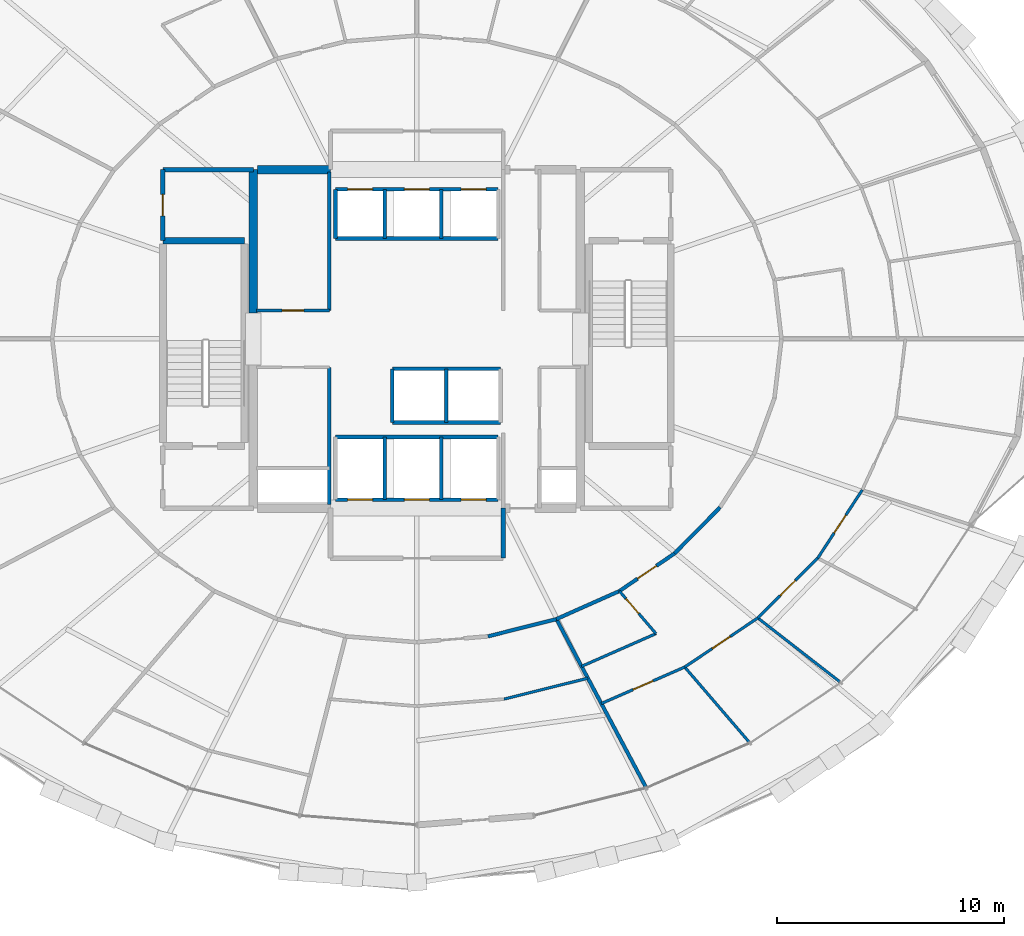
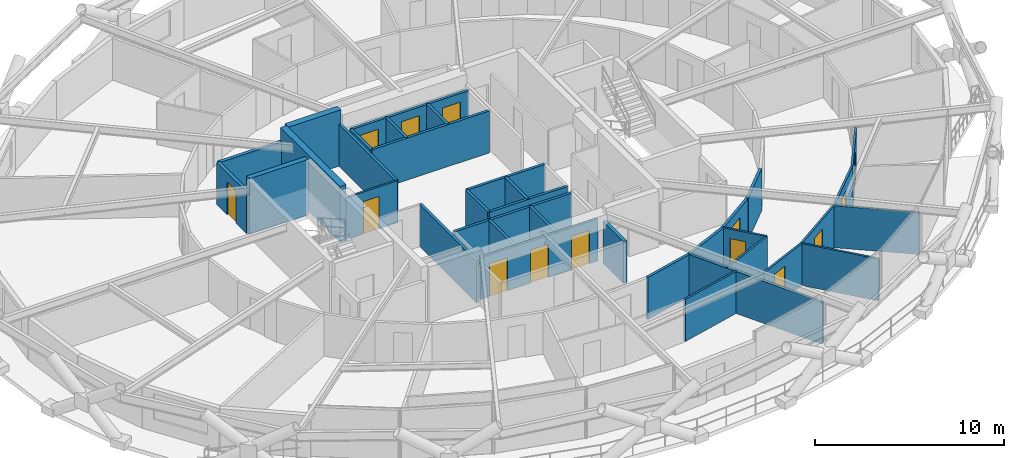
# One storey, part 14 of 19: 36 walls, 14 doors, 14 openings.
"""IFC4 building model written with IfcOpenShell, lengths in metres."""

from ifc_helpers import new_model, si_unit, direction, frame, frame_2d, origin, place, context, subcontext, project, spatial, rectangle, extrude, material, layer, layer_set, type_object, element, fill, save


model = new_model("IFC4")

# Units and contexts
model_context = context("Model", 3, precision=1e-05, world=origin(), true_north=direction((0.0, 1.0)))
body_context = subcontext(model_context, "Body", "Model", "MODEL_VIEW")
ifc_project = project(units=[si_unit("LENGTHUNIT", "METRE"), si_unit("AREAUNIT", "SQUARE_METRE"), si_unit("VOLUMEUNIT", "CUBIC_METRE"), si_unit("PLANEANGLEUNIT", "RADIAN"), si_unit("MASSUNIT", "GRAM", prefix="KILO")], contexts=[model_context])

# Site, building, storey
site_placement = place(None, origin())
site = spatial("IfcSite", under=ifc_project, at=site_placement, CompositionType="ELEMENT")
building_placement = place(site_placement, origin())
building = spatial("IfcBuilding", under=site, at=building_placement, Name="Veldorina Hangang Commons", CompositionType="ELEMENT")
storey_placement = place(building_placement, frame((0.0, 0.0, 70.0)))
storey = spatial("IfcBuildingStorey", under=building, at=storey_placement, Name="L17", CompositionType="ELEMENT", Elevation=70.0)

# Walls
ifc_material_1 = material(Name="Concrete C70/85", Category="concrete")
ifc_layer_1 = layer(ifc_material_1, 0.3798828125)
ifc_layer_set_1 = layer_set([ifc_layer_1], Name="Concrete C70/85")
wall_type_1 = type_object("IfcWallType", Name="CW-RC380-C70", PredefinedType="SHEAR", material=ifc_layer_set_1)
wall_1_placement = place(storey_placement, frame((24.800048828125, 25.14990234375, 0.0), z_axis=(0.0, 0.0, 1.0), x_axis=(0.0, 1.0, 0.0)))
element("IfcWall", 1, at=wall_1_placement, inside=storey, type_object=wall_type_1, Name="L17 W north core shear wall", PredefinedType="SHEAR", context=body_context, shape_type="SweptSolid", body=[
    extrude(rectangle(XDim=6.300048828125, YDim=0.3798828125, at=frame_2d((3.14990234375, 0.0))), origin(), (0.0, 0.0, 1.0), 3.60009765625),
])
wall_2_placement = place(storey_placement, frame((24.989990234375, 31.449951171875, 0.0), z_axis=(0.0, 0.0, 1.0), x_axis=(1.0, 0.0, 0.0)))
element("IfcWall", 2, at=wall_2_placement, inside=storey, type_object=wall_type_1, Name="L17 north-west core shear wall", PredefinedType="SHEAR", context=body_context, shape_type="SweptSolid", body=[
    extrude(rectangle(XDim=3.2099609375, YDim=0.3798828125, at=frame_2d((1.60498046875, 0.0))), origin(), (0.0, 0.0, 1.0), 3.60009765625),
])
ifc_material_2 = material(Name="Concrete C50/60", Category="concrete")
ifc_layer_2 = layer(ifc_material_2, 0.300048828125)
ifc_layer_set_2 = layer_set([ifc_layer_2], Name="Concrete C50/60")
wall_type_2 = type_object("IfcWallType", Name="SW-STAIR-300", PredefinedType="SHEAR", material=ifc_layer_set_2)
wall_3_placement = place(storey_placement, frame((20.820068359375, 28.320068359375, 0.0), z_axis=(0.0, 0.0, 1.0), x_axis=(1.0, 0.0, 0.0)))
element("IfcWall", 3, at=wall_3_placement, inside=storey, type_object=wall_type_2, Name="L17 ST1 north stair shear wall", PredefinedType="SHEAR", context=body_context, shape_type="SweptSolid", body=[
    extrude(rectangle(XDim=3.599853515625, YDim=0.300048828125, at=frame_2d((1.7998046875, 0.0))), origin(), (0.0, 0.0, 1.0), 3.60009765625),
])

# Wall, openings, doors
ifc_material_3 = material(Name="Gypsum Fire-Rated Twin Stud Wall", Category="gypsum")
ifc_layer_3 = layer(ifc_material_3, 0.159912109375)
ifc_layer_set_3 = layer_set([ifc_layer_3], Name="Gypsum Fire-Rated Twin Stud Wall")
wall_type_3 = type_object("IfcWallType", Name="WL-FIRE-160", PredefinedType="SOLIDWALL", material=ifc_layer_set_3)
wall_4_placement = place(storey_placement, frame((28.419921875, 30.580078125, 0.0), z_axis=(0.0, 0.0, 1.0), x_axis=(1.0, 0.0, 0.0)))
wall_4 = element("IfcWall", 4, at=wall_4_placement, inside=storey, type_object=wall_type_3, Name="L17 Low-bank front shaft wall 015", PredefinedType="SOLIDWALL", context=body_context, shape_type="SweptSolid", body=[
    extrude(rectangle(XDim=7.16015625, YDim=0.159912109375, at=frame_2d((3.580078125, 0.0))), origin(), (0.0, 0.0, 1.0), 2.7099609375),
])
opening_1_placement = place(wall_4_placement, frame((0.530029296875, 0.0, 0.0)))
opening_1 = element("IfcOpeningElement", 5, at=opening_1_placement, cuts=wall_4, Name="Opening LD-01", PredefinedType="OPENING", context=body_context, shape_type="SweptSolid", body=[
    extrude(rectangle(XDim=1.10009765625, YDim=2.14990234375, at=frame_2d((0.550048828125, 1.074951171875))), frame((0.0, 0.08984375, 0.0), z_axis=(0.0, -1.0, 0.0), x_axis=(1.0, 0.0, 0.0)), (0.0, 0.0, 1.0), 0.179931640625),
])
opening_2_placement = place(wall_4_placement, frame((3.030029296875, 0.0, 0.0)))
opening_2 = element("IfcOpeningElement", 6, at=opening_2_placement, cuts=wall_4, Name="Opening LD-01", PredefinedType="OPENING", context=body_context, shape_type="SweptSolid", body=[
    extrude(rectangle(XDim=1.10009765625, YDim=2.14990234375, at=frame_2d((0.550048828125, 1.074951171875))), frame((0.0, 0.08984375, 0.0), z_axis=(0.0, -1.0, 0.0), x_axis=(1.0, 0.0, 0.0)), (0.0, 0.0, 1.0), 0.179931640625),
])
opening_3_placement = place(wall_4_placement, frame((5.530029296875, 0.0, 0.0)))
opening_3 = element("IfcOpeningElement", 7, at=opening_3_placement, cuts=wall_4, Name="Opening LD-01", PredefinedType="OPENING", context=body_context, shape_type="SweptSolid", body=[
    extrude(rectangle(XDim=1.10009765625, YDim=2.14990234375, at=frame_2d((0.550048828125, 1.074951171875))), frame((0.0, 0.08984375, 0.0), z_axis=(0.0, -1.0, 0.0), x_axis=(1.0, 0.0, 0.0)), (0.0, 0.0, 1.0), 0.179931640625),
])
ifc_material_4 = material(Name="Stainless Steel Brushed Lift Door", Category="steel")
door_type_1 = type_object("IfcDoorType", Name="DR-LIFT-1100", OperationType="SLIDING_TO_LEFT", PredefinedType="DOOR", material=ifc_material_4)
door_1_placement = place(opening_1_placement, origin())
door_1 = element("IfcDoor", 8, at=door_1_placement, inside=storey, type_object=door_type_1, Name="L17 Lift PL-L1 landing door 006", OperationType="SLIDING_TO_LEFT", OverallHeight=2.14990234375, OverallWidth=1.10009765625, PredefinedType="DOOR", context=body_context, shape_type="SweptSolid", body=[
    extrude(rectangle(XDim=1.10009765625, YDim=2.14990234375, at=frame_2d((0.550048828125, 1.074951171875))), frame((0.0, 0.02490234375, 0.0), z_axis=(0.0, -1.0, 0.0), x_axis=(1.0, 0.0, 0.0)), (0.0, 0.0, 1.0), 0.050048828125),
])
fill(opening_1, door_1)
door_2_placement = place(opening_2_placement, origin())
door_2 = element("IfcDoor", 9, at=door_2_placement, inside=storey, type_object=door_type_1, Name="L17 Lift PL-L2 landing door 007", OperationType="SLIDING_TO_LEFT", OverallHeight=2.14990234375, OverallWidth=1.10009765625, PredefinedType="DOOR", context=body_context, shape_type="SweptSolid", body=[
    extrude(rectangle(XDim=1.10009765625, YDim=2.14990234375, at=frame_2d((0.550048828125, 1.074951171875))), frame((0.0, 0.02490234375, 0.0), z_axis=(0.0, -1.0, 0.0), x_axis=(1.0, 0.0, 0.0)), (0.0, 0.0, 1.0), 0.050048828125),
])
fill(opening_2, door_2)
door_3_placement = place(opening_3_placement, origin())
door_3 = element("IfcDoor", 10, at=door_3_placement, inside=storey, type_object=door_type_1, Name="L17 Lift PL-L3 landing door 008", OperationType="SLIDING_TO_LEFT", OverallHeight=2.14990234375, OverallWidth=1.10009765625, PredefinedType="DOOR", context=body_context, shape_type="SweptSolid", body=[
    extrude(rectangle(XDim=1.10009765625, YDim=2.14990234375, at=frame_2d((0.550048828125, 1.074951171875))), frame((0.0, 0.02490234375, 0.0), z_axis=(0.0, -1.0, 0.0), x_axis=(1.0, 0.0, 0.0)), (0.0, 0.0, 1.0), 0.050048828125),
])
fill(opening_3, door_3)

# Walls
wall_5_placement = place(storey_placement, frame((28.419921875, 28.419921875, 0.0), z_axis=(0.0, 0.0, 1.0), x_axis=(1.0, 0.0, 0.0)))
element("IfcWall", 11, at=wall_5_placement, inside=storey, type_object=wall_type_3, Name="L17 Low-bank rear shaft wall 016", PredefinedType="SOLIDWALL", context=body_context, shape_type="SweptSolid", body=[
    extrude(rectangle(XDim=7.16015625, YDim=0.159912109375, at=frame_2d((3.580078125, 0.0))), origin(), (0.0, 0.0, 1.0), 2.7099609375),
])
for number, where, z_axis, x_axis, name in (
    (12, (28.419921875, 28.419921875, 0.0), (0.0, 0.0, 1.0), (0.0, 1.0, 0.0), "L17 PL-L1 west shaft wall 017"),
    (13, (30.580078125, 28.419921875, 0.0), (0.0, 0.0, 1.0), (0.0, 1.0, 0.0), "L17 PL-L1 east shaft wall 018"),
    (14, (33.080078125, 28.419921875, 0.0), (0.0, 0.0, 1.0), (0.0, 1.0, 0.0), "L17 PL-L2 east shaft wall 019"),
):
    element("IfcWall", number, at=place(storey_placement, frame(where, z_axis=z_axis, x_axis=x_axis)), inside=storey, type_object=wall_type_3, Name=name, PredefinedType="SOLIDWALL", context=body_context, shape_type="SweptSolid", body=[
        extrude(rectangle(XDim=2.16015625, YDim=0.159912109375, at=frame_2d((1.080078125, 0.0))), origin(), (0.0, 0.0, 1.0), 2.7099609375),
    ])
for number, where, z_axis, x_axis, name in (
    (15, (30.919921875, 22.679931640625, 0.0), (0.0, 0.0, 1.0), (1.0, 0.0, 0.0), "L17 Shuttle-high front shaft wall 021"),
    (16, (30.919921875, 20.320068359375, 0.0), (0.0, 0.0, 1.0), (1.0, 0.0, 0.0), "L17 Shuttle-high rear shaft wall 022"),
):
    element("IfcWall", number, at=place(storey_placement, frame(where, z_axis=z_axis, x_axis=x_axis)), inside=storey, type_object=wall_type_3, Name=name, PredefinedType="SOLIDWALL", context=body_context, shape_type="SweptSolid", body=[
        extrude(rectangle(XDim=4.760009765625, YDim=0.159912109375, at=frame_2d((2.3798828125, 0.0))), origin(), (0.0, 0.0, 1.0), 2.7099609375),
    ])
for number, where, z_axis, x_axis, name in (
    (17, (30.919921875, 20.320068359375, 0.0), (0.0, 0.0, 1.0), (0.0, 1.0, 0.0), "L17 SL-1 west shaft wall 023"),
    (18, (33.300048828125, 20.320068359375, 0.0), (0.0, 0.0, 1.0), (0.0, 1.0, 0.0), "L17 SL-1 east shaft wall 024"),
):
    element("IfcWall", number, at=place(storey_placement, frame(where, z_axis=z_axis, x_axis=x_axis)), inside=storey, type_object=wall_type_3, Name=name, PredefinedType="SOLIDWALL", context=body_context, shape_type="SweptSolid", body=[
        extrude(rectangle(XDim=2.35986328125, YDim=0.159912109375, at=frame_2d((1.179931640625, 0.0))), origin(), (0.0, 0.0, 1.0), 2.7099609375),
    ])

# Wall, openings, doors
wall_6_placement = place(storey_placement, frame((28.419921875, 16.919921875, 0.0), z_axis=(0.0, 0.0, 1.0), x_axis=(1.0, 0.0, 0.0)))
wall_6 = element("IfcWall", 19, at=wall_6_placement, inside=storey, type_object=wall_type_3, Name="L17 Emergency front shaft wall 026", PredefinedType="SOLIDWALL", context=body_context, shape_type="SweptSolid", body=[
    extrude(rectangle(XDim=7.16015625, YDim=0.159912109375, at=frame_2d((3.580078125, 0.0))), origin(), (0.0, 0.0, 1.0), 2.7099609375),
])
opening_4_placement = place(wall_6_placement, frame((0.530029296875, 0.0, 0.0)))
opening_4 = element("IfcOpeningElement", 20, at=opening_4_placement, cuts=wall_6, Name="Opening LD-03", PredefinedType="OPENING", context=body_context, shape_type="SweptSolid", body=[
    extrude(rectangle(XDim=1.10009765625, YDim=2.14990234375, at=frame_2d((0.550048828125, 1.074951171875))), frame((0.0, 0.08984375, 0.0), z_axis=(0.0, -1.0, 0.0), x_axis=(1.0, 0.0, 0.0)), (0.0, 0.0, 1.0), 0.179931640625),
])
opening_5_placement = place(wall_6_placement, frame((3.030029296875, 0.0, 0.0)))
opening_5 = element("IfcOpeningElement", 21, at=opening_5_placement, cuts=wall_6, Name="Opening LD-03", PredefinedType="OPENING", context=body_context, shape_type="SweptSolid", body=[
    extrude(rectangle(XDim=1.10009765625, YDim=2.14990234375, at=frame_2d((0.550048828125, 1.074951171875))), frame((0.0, 0.08984375, 0.0), z_axis=(0.0, -1.0, 0.0), x_axis=(1.0, 0.0, 0.0)), (0.0, 0.0, 1.0), 0.179931640625),
])
opening_6_placement = place(wall_6_placement, frame((5.530029296875, 0.0, 0.0)))
opening_6 = element("IfcOpeningElement", 22, at=opening_6_placement, cuts=wall_6, Name="Opening LD-03", PredefinedType="OPENING", context=body_context, shape_type="SweptSolid", body=[
    extrude(rectangle(XDim=1.10009765625, YDim=2.14990234375, at=frame_2d((0.550048828125, 1.074951171875))), frame((0.0, 0.08984375, 0.0), z_axis=(0.0, -1.0, 0.0), x_axis=(1.0, 0.0, 0.0)), (0.0, 0.0, 1.0), 0.179931640625),
])
ifc_material_5 = material(Name="Stainless Steel Firefighting Lift Door", Category="steel")
door_type_2 = type_object("IfcDoorType", Name="DR-LIFT-FF1100", OperationType="SLIDING_TO_RIGHT", PredefinedType="DOOR", material=ifc_material_5)
door_4_placement = place(opening_4_placement, origin())
door_4 = element("IfcDoor", 23, at=door_4_placement, inside=storey, type_object=door_type_2, Name="L17 Emergency lift FFL-1 landing door 009", OperationType="SLIDING_TO_RIGHT", OverallHeight=2.14990234375, OverallWidth=1.10009765625, PredefinedType="DOOR", context=body_context, shape_type="SweptSolid", body=[
    extrude(rectangle(XDim=1.10009765625, YDim=2.14990234375, at=frame_2d((0.550048828125, 1.074951171875))), frame((0.0, 0.02490234375, 0.0), z_axis=(0.0, -1.0, 0.0), x_axis=(1.0, 0.0, 0.0)), (0.0, 0.0, 1.0), 0.050048828125),
])
fill(opening_4, door_4)
door_5_placement = place(opening_5_placement, origin())
door_5 = element("IfcDoor", 24, at=door_5_placement, inside=storey, type_object=door_type_2, Name="L17 Emergency lift FFL-2 landing door 010", OperationType="SLIDING_TO_RIGHT", OverallHeight=2.14990234375, OverallWidth=1.10009765625, PredefinedType="DOOR", context=body_context, shape_type="SweptSolid", body=[
    extrude(rectangle(XDim=1.10009765625, YDim=2.14990234375, at=frame_2d((0.550048828125, 1.074951171875))), frame((0.0, 0.02490234375, 0.0), z_axis=(0.0, -1.0, 0.0), x_axis=(1.0, 0.0, 0.0)), (0.0, 0.0, 1.0), 0.050048828125),
])
fill(opening_5, door_5)
door_6_placement = place(opening_6_placement, origin())
door_6 = element("IfcDoor", 25, at=door_6_placement, inside=storey, type_object=door_type_2, Name="L17 Emergency lift EVL-1 landing door 011", OperationType="SLIDING_TO_RIGHT", OverallHeight=2.14990234375, OverallWidth=1.10009765625, PredefinedType="DOOR", context=body_context, shape_type="SweptSolid", body=[
    extrude(rectangle(XDim=1.10009765625, YDim=2.14990234375, at=frame_2d((0.550048828125, 1.074951171875))), frame((0.0, 0.02490234375, 0.0), z_axis=(0.0, -1.0, 0.0), x_axis=(1.0, 0.0, 0.0)), (0.0, 0.0, 1.0), 0.050048828125),
])
fill(opening_6, door_6)

# Walls
wall_7_placement = place(storey_placement, frame((28.419921875, 19.679931640625, 0.0), z_axis=(0.0, 0.0, 1.0), x_axis=(1.0, 0.0, 0.0)))
element("IfcWall", 26, at=wall_7_placement, inside=storey, type_object=wall_type_3, Name="L17 Emergency rear shaft wall 027", PredefinedType="SOLIDWALL", context=body_context, shape_type="SweptSolid", body=[
    extrude(rectangle(XDim=7.16015625, YDim=0.159912109375, at=frame_2d((3.580078125, 0.0))), origin(), (0.0, 0.0, 1.0), 2.7099609375),
])
for number, where, z_axis, x_axis, name in (
    (27, (30.580078125, 16.919921875, 0.0), (0.0, 0.0, 1.0), (0.0, 1.0, 0.0), "L17 FFL-1 east shaft wall 029"),
    (28, (33.080078125, 16.919921875, 0.0), (0.0, 0.0, 1.0), (0.0, 1.0, 0.0), "L17 FFL-2 east shaft wall 030"),
):
    element("IfcWall", number, at=place(storey_placement, frame(where, z_axis=z_axis, x_axis=x_axis)), inside=storey, type_object=wall_type_3, Name=name, PredefinedType="SOLIDWALL", context=body_context, shape_type="SweptSolid", body=[
        extrude(rectangle(XDim=2.760009765625, YDim=0.159912109375, at=frame_2d((1.3798828125, 0.0))), origin(), (0.0, 0.0, 1.0), 2.7099609375),
    ])
wall_8_placement = place(storey_placement, frame((28.14990234375, 16.699951171875, 0.0), z_axis=(0.0, 0.0, 1.0), x_axis=(0.0, 1.0, 0.0)))
element("IfcWall", 29, at=wall_8_placement, inside=storey, type_object=wall_type_3, Name="L17 SW core inner wall 036", PredefinedType="SOLIDWALL", context=body_context, shape_type="SweptSolid", body=[
    extrude(rectangle(XDim=6.050048828125, YDim=0.159912109375, at=frame_2d((3.02490234375, 0.0))), origin(), (0.0, 0.0, 1.0), 2.7099609375),
])
wall_9_placement = place(storey_placement, frame((28.14990234375, 25.25, 0.0), z_axis=(0.0, 0.0, 1.0), x_axis=(0.0, 1.0, 0.0)))
element("IfcWall", 30, at=wall_9_placement, inside=storey, type_object=wall_type_3, Name="L17 NW core inner wall 038", PredefinedType="SOLIDWALL", context=body_context, shape_type="SweptSolid", body=[
    extrude(rectangle(XDim=6.10009765625, YDim=0.159912109375, at=frame_2d((3.050048828125, 0.0))), origin(), (0.0, 0.0, 1.0), 2.7099609375),
])
wall_10_placement = place(storey_placement, frame((35.131103515625, 10.906494140625, 0.0), z_axis=(0.0, 0.0, 1.0), x_axis=(0.969608333194, 0.244662380029, 0.0)))
element("IfcWall", 31, at=wall_10_placement, inside=storey, type_object=wall_type_3, Name="L17 Corridor outer wall 25 070", PredefinedType="SOLIDWALL", context=body_context, shape_type="SweptSolid", body=[
    extrude(rectangle(XDim=3.10546875, YDim=0.159912109375, at=frame_2d((1.552734375, 0.0))), origin(), (0.0, 0.0, 1.0), 2.7099609375),
])
wall_11_placement = place(storey_placement, frame((38.14208984375, 11.666259765625, 0.0), z_axis=(0.0, 0.0, 1.0), x_axis=(0.913768445178, 0.406235434936, 0.0)))
element("IfcWall", 32, at=wall_11_placement, inside=storey, type_object=wall_type_3, Name="L17 Corridor outer wall 26 071", PredefinedType="SOLIDWALL", context=body_context, shape_type="SweptSolid", body=[
    extrude(rectangle(XDim=3.036865234375, YDim=0.159912109375, at=frame_2d((1.5185546875, 0.0))), origin(), (0.0, 0.0, 1.0), 2.7099609375),
])

# Wall, opening, door
wall_12_placement = place(storey_placement, frame((40.9169921875, 12.89990234375, 0.0), z_axis=(0.0, 0.0, 1.0), x_axis=(0.825929039072, 0.563774088104, 0.0)))
wall_12 = element("IfcWall", 33, at=wall_12_placement, inside=storey, type_object=wall_type_3, Name="L17 Corridor outer wall 27 072", PredefinedType="SOLIDWALL", context=body_context, shape_type="SweptSolid", body=[
    extrude(rectangle(XDim=2.94482421875, YDim=0.159912109375, at=frame_2d((1.472412109375, 0.0))), origin(), (0.0, 0.0, 1.0), 2.7099609375),
])
opening_7_placement = place(wall_12_placement, frame((0.972412109375, 0.0, 0.0)))
opening_7 = element("IfcOpeningElement", 34, at=opening_7_placement, cuts=wall_12, Name="Opening D-06", PredefinedType="OPENING", context=body_context, shape_type="SweptSolid", body=[
    extrude(rectangle(XDim=1.0, YDim=2.10009765625, at=frame_2d((0.5, 1.050048828125))), frame((0.0, 0.08984375, 0.0), z_axis=(0.0, -1.0, 0.0), x_axis=(1.0, 0.0, 0.0)), (0.0, 0.0, 1.0), 0.179931640625),
])
ifc_material_6 = material(Name="Timber Fire-Rated Entrance Core", Category="wood")
door_type_3 = type_object("IfcDoorType", Name="DR-UNIT-1000", OperationType="SINGLE_SWING_LEFT", PredefinedType="DOOR", material=ifc_material_6)
door_7_placement = place(opening_7_placement, origin())
door_7 = element("IfcDoor", 35, at=door_7_placement, inside=storey, type_object=door_type_3, Name="L17 Cluster 2 entrance door 020", OperationType="SINGLE_SWING_RIGHT", OverallHeight=2.10009765625, OverallWidth=1.0, PredefinedType="DOOR", context=body_context, shape_type="SweptSolid", body=[
    extrude(rectangle(XDim=1.0, YDim=2.10009765625, at=frame_2d((0.5, 1.050048828125))), frame((0.0, 0.02490234375, 0.0), z_axis=(0.0, -1.0, 0.0), x_axis=(1.0, 0.0, 0.0)), (0.0, 0.0, 1.0), 0.050048828125),
])
fill(opening_7, door_7)

# Walls
wall_13_placement = place(storey_placement, frame((43.34912109375, 14.56005859375, 0.0), z_axis=(0.0, 0.0, 1.0), x_axis=(0.702366174226, 0.711815816981, 0.0)))
element("IfcWall", 36, at=wall_13_placement, inside=storey, type_object=wall_type_3, Name="L17 Corridor outer wall 28 073", PredefinedType="SOLIDWALL", context=body_context, shape_type="SweptSolid", body=[
    extrude(rectangle(XDim=2.842041015625, YDim=0.159912109375, at=frame_2d((1.4208984375, 0.0))), origin(), (0.0, 0.0, 1.0), 2.7099609375),
])
wall_14_placement = place(storey_placement, frame((38.14208984375, 11.666259765625, 0.0), z_axis=(0.0, 0.0, 1.0), x_axis=(0.470091700184, -0.882617580506, 0.0)))
element("IfcWall", 37, at=wall_14_placement, inside=storey, type_object=wall_type_3, Name="L17 Unit party wall 26 081", PredefinedType="SOLIDWALL", context=body_context, shape_type="SweptSolid", body=[
    extrude(rectangle(XDim=8.371826171875, YDim=0.159912109375, at=frame_2d((4.18603515625, 0.0))), origin(), (0.0, 0.0, 1.0), 2.7099609375),
])

# Wall, opening, door
ifc_material_7 = material(Name="Concrete Blockwork Fire Wall C30/37", Category="masonry")
ifc_layer_4 = layer(ifc_material_7, 0.199951171875)
ifc_layer_set_4 = layer_set([ifc_layer_4], Name="Concrete Blockwork Fire Wall C30/37")
wall_type_4 = type_object("IfcWallType", Name="WL-FIRE-200", PredefinedType="SOLIDWALL", material=ifc_layer_set_4)
wall_15_placement = place(storey_placement, frame((20.820068359375, 28.320068359375, 0.0), z_axis=(0.0, 0.0, 1.0), x_axis=(0.0, 1.0, 0.0)))
wall_15 = element("IfcWall", 38, at=wall_15_placement, inside=storey, type_object=wall_type_4, Name="L17 NW core room outer wall 005", PredefinedType="SOLIDWALL", context=body_context, shape_type="SweptSolid", body=[
    extrude(rectangle(XDim=3.1298828125, YDim=0.199951171875, at=frame_2d((1.56494140625, 0.0))), origin(), (0.0, 0.0, 1.0), 2.7099609375),
])
opening_8_placement = place(wall_15_placement, frame((1.090087890625, 0.0, 0.0)))
opening_8 = element("IfcOpeningElement", 39, at=opening_8_placement, cuts=wall_15, Name="Opening D-04", PredefinedType="OPENING", context=body_context, shape_type="SweptSolid", body=[
    extrude(rectangle(XDim=0.949951171875, YDim=2.10009765625, at=frame_2d((0.47509765625, 1.050048828125))), frame((0.0, 0.10986328125, 0.0), z_axis=(0.0, -1.0, 0.0), x_axis=(1.0, 0.0, 0.0)), (0.0, 0.0, 1.0), 0.219970703125),
])
ifc_material_8 = material(Name="Timber Accessible Flush Leaf", Category="wood")
door_type_4 = type_object("IfcDoorType", Name="DR-ACC-950", OperationType="SINGLE_SWING_LEFT", PredefinedType="DOOR", material=ifc_material_8)
door_8_placement = place(opening_8_placement, origin())
door_8 = element("IfcDoor", 40, at=door_8_placement, inside=storey, type_object=door_type_4, Name="L17 NW core WC door 003", OperationType="SINGLE_SWING_LEFT", OverallHeight=2.10009765625, OverallWidth=0.949951171875, PredefinedType="DOOR", context=body_context, shape_type="SweptSolid", body=[
    extrude(rectangle(XDim=0.949951171875, YDim=2.10009765625, at=frame_2d((0.47509765625, 1.050048828125))), frame((0.0, 0.02490234375, 0.0), z_axis=(0.0, -1.0, 0.0), x_axis=(1.0, 0.0, 0.0)), (0.0, 0.0, 1.0), 0.050048828125),
])
fill(opening_8, door_8)

# Walls
wall_16_placement = place(storey_placement, frame((20.820068359375, 31.449951171875, 0.0), z_axis=(0.0, 0.0, 1.0), x_axis=(1.0, 0.0, 0.0)))
element("IfcWall", 41, at=wall_16_placement, inside=storey, type_object=wall_type_4, Name="L17 NW core room north wall 006", PredefinedType="SOLIDWALL", context=body_context, shape_type="SweptSolid", body=[
    extrude(rectangle(XDim=3.97998046875, YDim=0.199951171875, at=frame_2d((1.989990234375, 0.0))), origin(), (0.0, 0.0, 1.0), 2.7099609375),
])
wall_17_placement = place(storey_placement, frame((35.800048828125, 14.35009765625, 0.0), z_axis=(0.0, 0.0, 1.0), x_axis=(0.0, 1.0, 0.0)))
element("IfcWall", 42, at=wall_17_placement, inside=storey, type_object=wall_type_4, Name="L17 FF lobby east wall 013", PredefinedType="SOLIDWALL", context=body_context, shape_type="SweptSolid", body=[
    extrude(rectangle(XDim=2.199951171875, YDim=0.199951171875, at=frame_2d((1.10009765625, 0.0))), origin(), (0.0, 0.0, 1.0), 2.7099609375),
])

# Wall, opening, door
ifc_material_9 = material(Name="Gypsum Acoustic Stud Partition", Category="gypsum")
ifc_layer_5 = layer(ifc_material_9, 0.1201171875)
ifc_layer_set_5 = layer_set([ifc_layer_5], Name="Gypsum Acoustic Stud Partition")
wall_type_5 = type_object("IfcWallType", Name="WL-PART-120", PredefinedType="PARTITIONING", material=ifc_layer_set_5)
wall_18_placement = place(storey_placement, frame((24.949951171875, 25.25, 0.0), z_axis=(0.0, 0.0, 1.0), x_axis=(1.0, 0.0, 0.0)))
wall_18 = element("IfcWall", 43, at=wall_18_placement, inside=storey, type_object=wall_type_5, Name="L17 NW service south wall 039", PredefinedType="PARTITIONING", context=body_context, shape_type="SweptSolid", body=[
    extrude(rectangle(XDim=3.199951171875, YDim=0.1201171875, at=frame_2d((1.60009765625, 0.0))), origin(), (0.0, 0.0, 1.0), 2.7099609375),
])
opening_9_placement = place(wall_18_placement, frame((1.125, 0.0, 0.0)))
opening_9 = element("IfcOpeningElement", 44, at=opening_9_placement, cuts=wall_18, Name="Opening D-02", PredefinedType="OPENING", context=body_context, shape_type="SweptSolid", body=[
    extrude(rectangle(XDim=0.949951171875, YDim=2.10009765625, at=frame_2d((0.47509765625, 1.050048828125))), frame((0.0, 0.070068359375, 0.0), z_axis=(0.0, -1.0, 0.0), x_axis=(1.0, 0.0, 0.0)), (0.0, 0.0, 1.0), 0.14013671875),
])
ifc_material_10 = material(Name="Timber Solid Core Acoustic", Category="wood")
door_type_5 = type_object("IfcDoorType", Name="DR-INT-950", OperationType="SINGLE_SWING_LEFT", PredefinedType="DOOR", material=ifc_material_10)
door_9_placement = place(opening_9_placement, origin())
door_9 = element("IfcDoor", 45, at=door_9_placement, inside=storey, type_object=door_type_5, Name="L17 Housekeeping store door 013", OperationType="SINGLE_SWING_LEFT", OverallHeight=2.10009765625, OverallWidth=0.949951171875, PredefinedType="DOOR", context=body_context, shape_type="SweptSolid", body=[
    extrude(rectangle(XDim=0.949951171875, YDim=2.10009765625, at=frame_2d((0.47509765625, 1.050048828125))), frame((0.0, 0.02490234375, 0.0), z_axis=(0.0, -1.0, 0.0), x_axis=(1.0, 0.0, 0.0)), (0.0, 0.0, 1.0), 0.050048828125),
])
fill(opening_9, door_9)

# Walls
wall_19_placement = place(storey_placement, frame((35.837646484375, 8.14453125, 0.0), z_axis=(0.0, 0.0, 1.0), x_axis=(0.970304657853, 0.241886070181, 0.0)))
element("IfcWall", 46, at=wall_19_placement, inside=storey, type_object=wall_type_5, Name="L17 Lounge alcove split 2 080", PredefinedType="PARTITIONING", context=body_context, shape_type="SweptSolid", body=[
    extrude(rectangle(XDim=3.80322265625, YDim=0.1201171875, at=frame_2d((1.901611328125, 0.0))), origin(), (0.0, 0.0, 1.0), 2.7099609375),
])
wall_20_placement = place(storey_placement, frame((39.25048828125, 9.5849609375, 0.0), z_axis=(0.0, 0.0, 1.0), x_axis=(0.915287872982, 0.402800334622, 0.0)))
element("IfcWall", 47, at=wall_20_placement, inside=storey, type_object=wall_type_5, Name="L17 Cluster 2 bath front wall 082", PredefinedType="PARTITIONING", context=body_context, shape_type="SweptSolid", body=[
    extrude(rectangle(XDim=3.5791015625, YDim=0.1201171875, at=frame_2d((1.78955078125, 0.0))), origin(), (0.0, 0.0, 1.0), 2.7099609375),
])

# Wall, opening, door
wall_21_placement = place(storey_placement, frame((40.9169921875, 12.89990234375, 0.0), z_axis=(0.0, 0.0, 1.0), x_axis=(0.651653901419, -0.758516441988, 0.0)))
wall_21 = element("IfcWall", 48, at=wall_21_placement, inside=storey, type_object=wall_type_5, Name="L17 Cluster 2 bath side wall 083", PredefinedType="PARTITIONING", context=body_context, shape_type="SweptSolid", body=[
    extrude(rectangle(XDim=2.4697265625, YDim=0.1201171875, at=frame_2d((1.23486328125, 0.0))), origin(), (0.0, 0.0, 1.0), 2.7099609375),
])
opening_10_placement = place(wall_21_placement, frame((0.43994140625, 0.0, 0.0)))
opening_10 = element("IfcOpeningElement", 49, at=opening_10_placement, cuts=wall_21, Name="Opening D-01", PredefinedType="OPENING", context=body_context, shape_type="SweptSolid", body=[
    extrude(rectangle(XDim=0.860107421875, YDim=2.10009765625, at=frame_2d((0.43017578125, 1.050048828125))), frame((0.0, 0.070068359375, 0.0), z_axis=(0.0, -1.0, 0.0), x_axis=(1.0, 0.0, 0.0)), (0.0, 0.0, 1.0), 0.14013671875),
])
ifc_material_11 = material(Name="Timber Moisture-Resistant Core", Category="wood")
door_type_6 = type_object("IfcDoorType", Name="DR-WET-860", OperationType="SINGLE_SWING_LEFT", PredefinedType="DOOR", material=ifc_material_11)
door_10_placement = place(opening_10_placement, origin())
door_10 = element("IfcDoor", 50, at=door_10_placement, inside=storey, type_object=door_type_6, Name="L17 Cluster 2 shared bathroom door 019", OperationType="SINGLE_SWING_LEFT", OverallHeight=2.10009765625, OverallWidth=0.860107421875, PredefinedType="DOOR", context=body_context, shape_type="SweptSolid", body=[
    extrude(rectangle(XDim=0.860107421875, YDim=2.10009765625, at=frame_2d((0.43017578125, 1.050048828125))), frame((0.0, 0.02490234375, 0.0), z_axis=(0.0, -1.0, 0.0), x_axis=(1.0, 0.0, 0.0)), (0.0, 0.0, 1.0), 0.050048828125),
])
fill(opening_10, door_10)

wall_22_placement = place(storey_placement, frame((40.12158203125, 7.94970703125, 0.0), z_axis=(0.0, 0.0, 1.0), x_axis=(0.916161532069, 0.400809240359, 0.0)))
wall_22 = element("IfcWall", 51, at=wall_22_placement, inside=storey, type_object=wall_type_5, Name="L17 Cluster 2 bed 1 front wall 084", PredefinedType="PARTITIONING", context=body_context, shape_type="SweptSolid", body=[
    extrude(rectangle(XDim=4.0048828125, YDim=0.1201171875, at=frame_2d((2.00244140625, 0.0))), origin(), (0.0, 0.0, 1.0), 2.7099609375),
])
opening_11_placement = place(wall_22_placement, frame((1.52734375, 0.0, 0.0)))
opening_11 = element("IfcOpeningElement", 52, at=opening_11_placement, cuts=wall_22, Name="Opening D-02", PredefinedType="OPENING", context=body_context, shape_type="SweptSolid", body=[
    extrude(rectangle(XDim=0.949951171875, YDim=2.10009765625, at=frame_2d((0.47509765625, 1.050048828125))), frame((0.0, 0.070068359375, 0.0), z_axis=(0.0, -1.0, 0.0), x_axis=(1.0, 0.0, 0.0)), (0.0, 0.0, 1.0), 0.14013671875),
])
door_11_placement = place(opening_11_placement, origin())
door_11 = element("IfcDoor", 53, at=door_11_placement, inside=storey, type_object=door_type_5, Name="L17 Cluster 2 bed 1 door 021", OperationType="SINGLE_SWING_LEFT", OverallHeight=2.10009765625, OverallWidth=0.949951171875, PredefinedType="DOOR", context=body_context, shape_type="SweptSolid", body=[
    extrude(rectangle(XDim=0.949951171875, YDim=2.10009765625, at=frame_2d((0.47509765625, 1.050048828125))), frame((0.0, 0.02490234375, 0.0), z_axis=(0.0, -1.0, 0.0), x_axis=(1.0, 0.0, 0.0)), (0.0, 0.0, 1.0), 0.050048828125),
])
fill(opening_11, door_11)

wall_23_placement = place(storey_placement, frame((43.790771484375, 9.554931640625, 0.0), z_axis=(0.0, 0.0, 1.0), x_axis=(0.830067374371, 0.557663118742, 0.0)))
wall_23 = element("IfcWall", 54, at=wall_23_placement, inside=storey, type_object=wall_type_5, Name="L17 Cluster 2 bed 2 front wall 085", PredefinedType="PARTITIONING", context=body_context, shape_type="SweptSolid", body=[
    extrude(rectangle(XDim=3.87451171875, YDim=0.1201171875, at=frame_2d((1.937255859375, 0.0))), origin(), (0.0, 0.0, 1.0), 2.7099609375),
])
opening_12_placement = place(wall_23_placement, frame((1.46240234375, 0.0, 0.0)))
opening_12 = element("IfcOpeningElement", 55, at=opening_12_placement, cuts=wall_23, Name="Opening D-02", PredefinedType="OPENING", context=body_context, shape_type="SweptSolid", body=[
    extrude(rectangle(XDim=0.949951171875, YDim=2.10009765625, at=frame_2d((0.47509765625, 1.050048828125))), frame((0.0, 0.070068359375, 0.0), z_axis=(0.0, -1.0, 0.0), x_axis=(1.0, 0.0, 0.0)), (0.0, 0.0, 1.0), 0.14013671875),
])
door_12_placement = place(opening_12_placement, origin())
door_12 = element("IfcDoor", 56, at=door_12_placement, inside=storey, type_object=door_type_5, Name="L17 Cluster 2 bed 2 door 022", OperationType="SINGLE_SWING_RIGHT", OverallHeight=2.10009765625, OverallWidth=0.949951171875, PredefinedType="DOOR", context=body_context, shape_type="SweptSolid", body=[
    extrude(rectangle(XDim=0.949951171875, YDim=2.10009765625, at=frame_2d((0.47509765625, 1.050048828125))), frame((0.0, 0.02490234375, 0.0), z_axis=(0.0, -1.0, 0.0), x_axis=(1.0, 0.0, 0.0)), (0.0, 0.0, 1.0), 0.050048828125),
])
fill(opening_12, door_12)

# Wall
wall_24_placement = place(storey_placement, frame((43.790771484375, 9.554931640625, 0.0), z_axis=(0.0, 0.0, 1.0), x_axis=(0.651667093556, -0.758505108207, 0.0)))
element("IfcWall", 57, at=wall_24_placement, inside=storey, type_object=wall_type_5, Name="L17 Cluster 2 bed divider 1 086", PredefinedType="PARTITIONING", context=body_context, shape_type="SweptSolid", body=[
    extrude(rectangle(XDim=4.360107421875, YDim=0.1201171875, at=frame_2d((2.18017578125, 0.0))), origin(), (0.0, 0.0, 1.0), 2.7099609375),
])

# Wall, opening, door
wall_25_placement = place(storey_placement, frame((47.0068359375, 11.715576171875, 0.0), z_axis=(0.0, 0.0, 1.0), x_axis=(0.70802306057, 0.706189312933, 0.0)))
wall_25 = element("IfcWall", 58, at=wall_25_placement, inside=storey, type_object=wall_type_5, Name="L17 Cluster 2 bed 3 front wall 087", PredefinedType="PARTITIONING", context=body_context, shape_type="SweptSolid", body=[
    extrude(rectangle(XDim=3.727783203125, YDim=0.1201171875, at=frame_2d((1.86376953125, 0.0))), origin(), (0.0, 0.0, 1.0), 2.7099609375),
])
opening_13_placement = place(wall_25_placement, frame((1.388916015625, 0.0, 0.0)))
opening_13 = element("IfcOpeningElement", 59, at=opening_13_placement, cuts=wall_25, Name="Opening D-02", PredefinedType="OPENING", context=body_context, shape_type="SweptSolid", body=[
    extrude(rectangle(XDim=0.949951171875, YDim=2.10009765625, at=frame_2d((0.47509765625, 1.050048828125))), frame((0.0, 0.070068359375, 0.0), z_axis=(0.0, -1.0, 0.0), x_axis=(1.0, 0.0, 0.0)), (0.0, 0.0, 1.0), 0.14013671875),
])
door_13_placement = place(opening_13_placement, origin())
door_13 = element("IfcDoor", 60, at=door_13_placement, inside=storey, type_object=door_type_5, Name="L17 Cluster 2 bed 3 door 023", OperationType="SINGLE_SWING_LEFT", OverallHeight=2.10009765625, OverallWidth=0.949951171875, PredefinedType="DOOR", context=body_context, shape_type="SweptSolid", body=[
    extrude(rectangle(XDim=0.949951171875, YDim=2.10009765625, at=frame_2d((0.47509765625, 1.050048828125))), frame((0.0, 0.02490234375, 0.0), z_axis=(0.0, -1.0, 0.0), x_axis=(1.0, 0.0, 0.0)), (0.0, 0.0, 1.0), 0.050048828125),
])
fill(opening_13, door_13)

# Wall
wall_26_placement = place(storey_placement, frame((47.0068359375, 11.715576171875, 0.0), z_axis=(0.0, 0.0, 1.0), x_axis=(0.789369425369, -0.613918488313, 0.0)))
element("IfcWall", 61, at=wall_26_placement, inside=storey, type_object=wall_type_5, Name="L17 Cluster 2 bed divider 2 088", PredefinedType="PARTITIONING", context=body_context, shape_type="SweptSolid", body=[
    extrude(rectangle(XDim=4.58349609375, YDim=0.1201171875, at=frame_2d((2.291748046875, 0.0))), origin(), (0.0, 0.0, 1.0), 2.7099609375),
])

# Wall, opening, door
wall_27_placement = place(storey_placement, frame((49.646240234375, 14.34814453125, 0.0), z_axis=(0.0, 0.0, 1.0), x_axis=(0.546711977898, 0.837320734978, 0.0)))
wall_27 = element("IfcWall", 62, at=wall_27_placement, inside=storey, type_object=wall_type_5, Name="L17 Cluster 2 bed 4 front wall 089", PredefinedType="PARTITIONING", context=body_context, shape_type="SweptSolid", body=[
    extrude(rectangle(XDim=3.587158203125, YDim=0.1201171875, at=frame_2d((1.79345703125, 0.0))), origin(), (0.0, 0.0, 1.0), 2.7099609375),
])
opening_14_placement = place(wall_27_placement, frame((1.318603515625, 0.0, 0.0)))
opening_14 = element("IfcOpeningElement", 63, at=opening_14_placement, cuts=wall_27, Name="Opening D-02", PredefinedType="OPENING", context=body_context, shape_type="SweptSolid", body=[
    extrude(rectangle(XDim=0.949951171875, YDim=2.10009765625, at=frame_2d((0.47509765625, 1.050048828125))), frame((0.0, 0.070068359375, 0.0), z_axis=(0.0, -1.0, 0.0), x_axis=(1.0, 0.0, 0.0)), (0.0, 0.0, 1.0), 0.14013671875),
])
door_14_placement = place(opening_14_placement, origin())
door_14 = element("IfcDoor", 64, at=door_14_placement, inside=storey, type_object=door_type_5, Name="L17 Cluster 2 bed 4 door 024", OperationType="SINGLE_SWING_RIGHT", OverallHeight=2.10009765625, OverallWidth=0.949951171875, PredefinedType="DOOR", context=body_context, shape_type="SweptSolid", body=[
    extrude(rectangle(XDim=0.949951171875, YDim=2.10009765625, at=frame_2d((0.47509765625, 1.050048828125))), frame((0.0, 0.02490234375, 0.0), z_axis=(0.0, -1.0, 0.0), x_axis=(1.0, 0.0, 0.0)), (0.0, 0.0, 1.0), 0.050048828125),
])
fill(opening_14, door_14)

save(model, "model.ifc")
